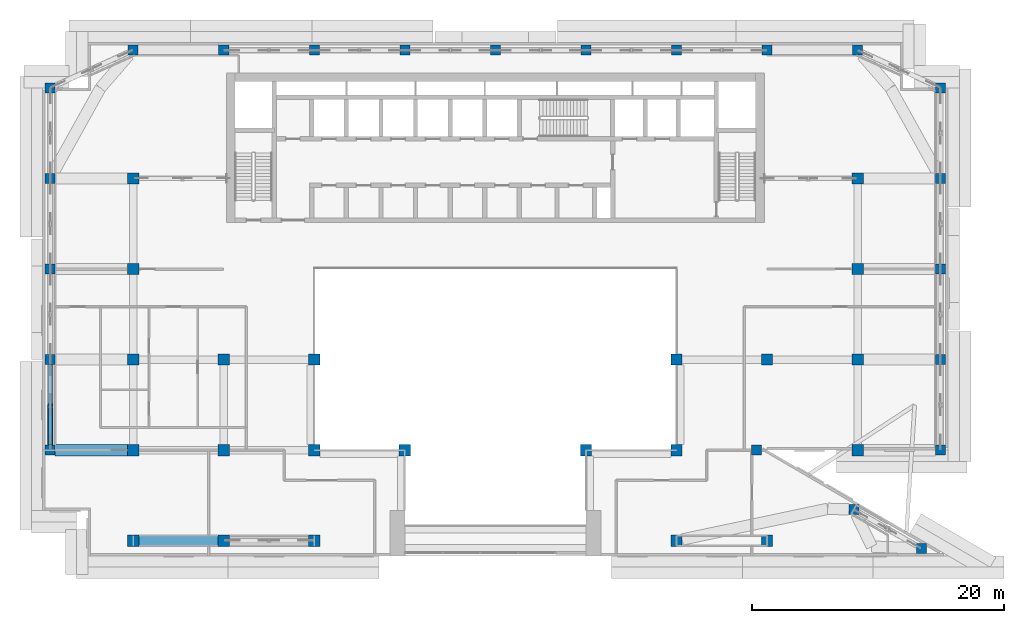
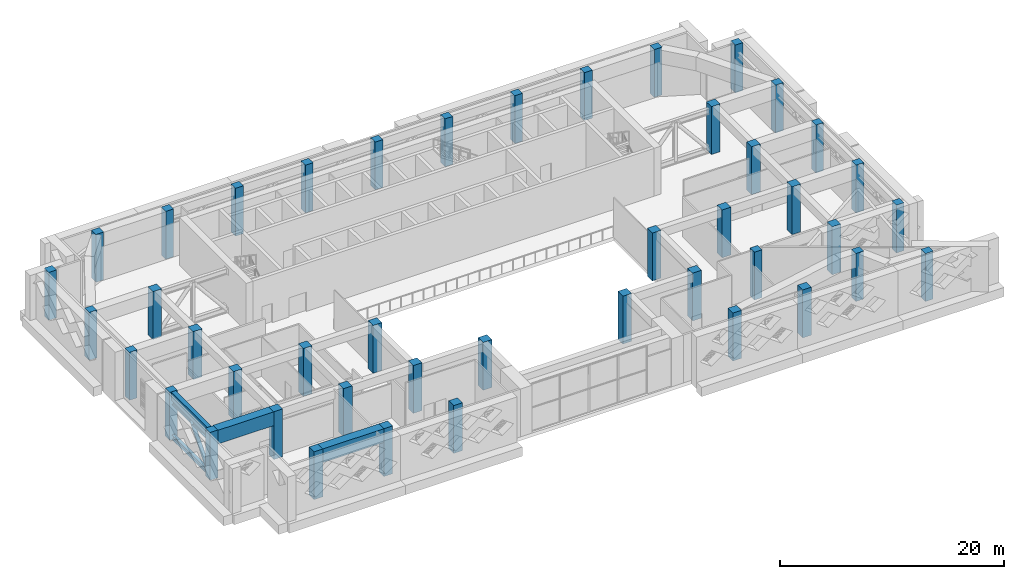
# One storey, part 1 of 20: 44 columns, 3 beams, 3 members.
"""IFC4 building model written with IfcOpenShell, lengths in metres."""

from ifc_helpers import new_model, si_unit, direction, frame, origin, origin_2d, place, context, subcontext, project, spatial, rectangle, hollow_circle, i_section, extrude, source, transform, mapped, material, material_profile, profile_set, type_object, element, save


model = new_model("IFC4")

# Units and contexts
model_context = context("Model", 3, precision=1e-05, world=origin(), true_north=direction((0.0, 1.0)))
body_context = subcontext(model_context, "Body", "Model", "MODEL_VIEW")
ifc_project = project(units=[si_unit("LENGTHUNIT", "METRE"), si_unit("AREAUNIT", "SQUARE_METRE"), si_unit("VOLUMEUNIT", "CUBIC_METRE"), si_unit("PLANEANGLEUNIT", "RADIAN"), si_unit("MASSUNIT", "GRAM", prefix="KILO")], contexts=[model_context])

# Site, building, storey
site_placement = place(None, origin())
site = spatial("IfcSite", under=ifc_project, at=site_placement, CompositionType="ELEMENT")
building_placement = place(site_placement, origin())
building = spatial("IfcBuilding", under=site, at=building_placement, Name="Saffron Iwan Residences", CompositionType="ELEMENT")
storey_placement = place(building_placement, frame((0.0, 0.0, 206.0)))
storey = spatial("IfcBuildingStorey", under=building, at=storey_placement, Name="L55", CompositionType="ELEMENT", Elevation=206.0)

# Columns
ifc_material_1 = material(Name="Concrete C50/60", Category="concrete")
ifc_material_profile_1 = material_profile(ifc_material_1, rectangle(XDim=0.800048828125, YDim=0.800048828125, at=origin_2d()), Name="RC 800x800")
ifc_profile_set_1 = profile_set([ifc_material_profile_1], Name="Concrete C50/60")
column_type_1 = type_object("IfcColumnType", Name="COL RC 800x800 C50/60 5220 HIGH", PredefinedType="COLUMN", material=ifc_profile_set_1)
shared_shape_1 = source(origin(), body_context, "Body", "SweptSolid", [
    extrude(rectangle(XDim=0.800048828125, YDim=0.800048828125, at=origin_2d()), origin(), (0.0, 0.0, 1.0), 5.219970703125),
])
for number, where, z_axis, x_axis, name in (
    (1, (84.276123046875, 40.17431640625, 0.0), (0.0, 0.0, 1.0), (1.0, 0.0, 0.0), "Column C045"),
    (2, (78.897705078125, 43.28173828125, 0.0), (0.0, 0.0, 1.0), (1.0, 0.0, 0.0), "Column C058"),
    (3, (15.0, 48.0, 0.0), (0.0, 0.0, 1.0), (1.0, 0.0, 0.0), "Column C061"),
    (4, (71.14990234375, 48.0, 0.0), (0.0, 0.0, 1.0), (1.0, 0.0, 0.0), "Column C070"),
    (5, (85.800048828125, 48.0, 0.0), (0.0, 0.0, 1.0), (1.0, 0.0, 0.0), "Column C074"),
    (6, (15.0, 55.199951171875, 0.0), (0.0, 0.0, 1.0), (1.0, 0.0, 0.0), "Column C077"),
    (7, (85.800048828125, 55.199951171875, 0.0), (0.0, 0.0, 1.0), (1.0, 0.0, 0.0), "Column C086"),
    (8, (15.0, 62.39990234375, 0.0), (0.0, 0.0, 1.0), (1.0, 0.0, 0.0), "Column C089"),
    (9, (85.800048828125, 62.39990234375, 0.0), (0.0, 0.0, 1.0), (1.0, 0.0, 0.0), "Column C094"),
    (10, (15.0, 69.60009765625, 0.0), (0.0, 0.0, 1.0), (1.0, 0.0, 0.0), "Column C097"),
    (11, (85.800048828125, 69.60009765625, 0.0), (0.0, 0.0, 1.0), (1.0, 0.0, 0.0), "Column C102"),
    (12, (15.0, 76.800048828125, 0.0), (0.0, 0.0, 1.0), (1.0, 0.0, 0.0), "Column C105"),
    (13, (85.800048828125, 76.800048828125, 0.0), (0.0, 0.0, 1.0), (1.0, 0.0, 0.0), "Column C110"),
    (14, (21.60009765625, 79.800048828125, 0.0), (0.0, 0.0, 1.0), (1.0, 0.0, 0.0), "Column C113"),
    (15, (28.800048828125, 79.800048828125, 0.0), (0.0, 0.0, 1.0), (1.0, 0.0, 0.0), "Column C115"),
    (16, (36.0, 79.800048828125, 0.0), (0.0, 0.0, 1.0), (1.0, 0.0, 0.0), "Column C116"),
    (17, (43.199951171875, 79.800048828125, 0.0), (0.0, 0.0, 1.0), (1.0, 0.0, 0.0), "Column C117"),
    (18, (50.39990234375, 79.800048828125, 0.0), (0.0, 0.0, 1.0), (1.0, 0.0, 0.0), "Column C118"),
    (19, (57.60009765625, 79.800048828125, 0.0), (0.0, 0.0, 1.0), (1.0, 0.0, 0.0), "Column C119"),
    (20, (64.800048828125, 79.800048828125, 0.0), (0.0, 0.0, 1.0), (1.0, 0.0, 0.0), "Column C120"),
    (21, (72.0, 79.800048828125, 0.0), (0.0, 0.0, 1.0), (1.0, 0.0, 0.0), "Column C121"),
    (22, (79.199951171875, 79.800048828125, 0.0), (0.0, 0.0, 1.0), (1.0, 0.0, 0.0), "Column C123"),
):
    element("IfcColumn", number, at=place(storey_placement, frame(where, z_axis=z_axis, x_axis=x_axis)), inside=storey, type_object=column_type_1, Name=name, PredefinedType="COLUMN", context=body_context, shape_type="MappedRepresentation", body=[
        mapped(shared_shape_1, transform((0.0, 0.0, 0.0))),
    ])
ifc_material_profile_2 = material_profile(ifc_material_1, rectangle(XDim=0.89990234375, YDim=0.89990234375, at=origin_2d()), Name="RC 900x900")
ifc_profile_set_2 = profile_set([ifc_material_profile_2], Name="Concrete C50/60")
column_type_2 = type_object("IfcColumnType", Name="COL RC 900x900 C50/60 5220 HIGH", PredefinedType="COLUMN", material=ifc_profile_set_2)
shared_shape_2 = source(origin(), body_context, "Body", "SweptSolid", [
    extrude(rectangle(XDim=0.89990234375, YDim=0.89990234375, at=origin_2d()), origin(), (0.0, 0.0, 1.0), 5.219970703125),
])
for number, where, z_axis, x_axis, name in (
    (23, (21.60009765625, 40.800048828125, 0.0), (0.0, 0.0, 1.0), (1.0, 0.0, 0.0), "Column C049"),
    (24, (28.800048828125, 40.800048828125, 0.0), (0.0, 0.0, 1.0), (1.0, 0.0, 0.0), "Column C051"),
    (25, (36.0, 40.800048828125, 0.0), (0.0, 0.0, 1.0), (1.0, 0.0, 0.0), "Column C052"),
    (26, (64.800048828125, 40.800048828125, 0.0), (0.0, 0.0, 1.0), (1.0, 0.0, 0.0), "Column C055"),
    (27, (72.0, 40.800048828125, 0.0), (0.0, 0.0, 1.0), (1.0, 0.0, 0.0), "Column C056"),
    (28, (21.60009765625, 48.0, 0.0), (0.0, 0.0, 1.0), (1.0, 0.0, 0.0), "Column C063"),
    (29, (28.800048828125, 48.0, 0.0), (0.0, 0.0, 1.0), (1.0, 0.0, 0.0), "Column C064"),
    (30, (36.0, 48.0, 0.0), (0.0, 0.0, 1.0), (1.0, 0.0, 0.0), "Column C065"),
    (31, (43.199951171875, 48.0, 0.0), (0.0, 0.0, 1.0), (1.0, 0.0, 0.0), "Column C066"),
    (32, (57.60009765625, 48.0, 0.0), (0.0, 0.0, 1.0), (1.0, 0.0, 0.0), "Column C068"),
    (33, (64.800048828125, 48.0, 0.0), (0.0, 0.0, 1.0), (1.0, 0.0, 0.0), "Column C069"),
    (34, (79.199951171875, 48.0, 0.0), (0.0, 0.0, 1.0), (1.0, 0.0, 0.0), "Column C072"),
    (35, (21.60009765625, 55.199951171875, 0.0), (0.0, 0.0, 1.0), (1.0, 0.0, 0.0), "Column C079"),
    (36, (28.800048828125, 55.199951171875, 0.0), (0.0, 0.0, 1.0), (1.0, 0.0, 0.0), "Column C080"),
    (37, (36.0, 55.199951171875, 0.0), (0.0, 0.0, 1.0), (1.0, 0.0, 0.0), "Column C081"),
    (38, (64.800048828125, 55.199951171875, 0.0), (0.0, 0.0, 1.0), (1.0, 0.0, 0.0), "Column C082"),
    (39, (72.0, 55.199951171875, 0.0), (0.0, 0.0, 1.0), (1.0, 0.0, 0.0), "Column C083"),
    (40, (79.199951171875, 55.199951171875, 0.0), (0.0, 0.0, 1.0), (1.0, 0.0, 0.0), "Column C084"),
    (41, (21.60009765625, 62.39990234375, 0.0), (0.0, 0.0, 1.0), (1.0, 0.0, 0.0), "Column C091"),
    (42, (79.199951171875, 62.39990234375, 0.0), (0.0, 0.0, 1.0), (1.0, 0.0, 0.0), "Column C092"),
    (43, (21.60009765625, 69.60009765625, 0.0), (0.0, 0.0, 1.0), (1.0, 0.0, 0.0), "Column C099"),
    (44, (79.199951171875, 69.60009765625, 0.0), (0.0, 0.0, 1.0), (1.0, 0.0, 0.0), "Column C100"),
):
    element("IfcColumn", number, at=place(storey_placement, frame(where, z_axis=z_axis, x_axis=x_axis)), inside=storey, type_object=column_type_2, Name=name, PredefinedType="COLUMN", context=body_context, shape_type="MappedRepresentation", body=[
        mapped(shared_shape_2, transform((0.0, 0.0, 0.0))),
    ])

# Beams
ifc_material_profile_3 = material_profile(ifc_material_1, rectangle(XDim=0.449951171875, YDim=0.89990234375, at=origin_2d()), Name="RC 450x900")
ifc_profile_set_3 = profile_set([ifc_material_profile_3], Name="Concrete C50/60")
beam_type_1 = type_object("IfcBeamType", Name="SPANDREL BEAM RC 450x900 C50/60 TOP 5220", PredefinedType="SPANDREL", material=ifc_profile_set_3)
shared_shape_3 = source(origin(), body_context, "Body", "SweptSolid", [
    extrude(rectangle(XDim=0.449951171875, YDim=0.89990234375, at=origin_2d()), origin(), (0.0, 0.0, 1.0), 6.400146484375),
])
beam_1_placement = place(storey_placement, frame((15.0, 48.39990234375, 4.77001953125), z_axis=(0.0, 1.0, 0.0), x_axis=(-1.0, 0.0, 0.0)))
element("IfcBeam", 45, at=beam_1_placement, inside=storey, type_object=beam_type_1, Name="Spandrel beam", PredefinedType="SPANDREL", context=body_context, shape_type="MappedRepresentation", body=[
    mapped(shared_shape_3, transform((0.0, 0.0, 0.0))),
])
ifc_material_profile_4 = material_profile(ifc_material_1, rectangle(XDim=0.89990234375, YDim=1.5, at=origin_2d()), Name="RC 900x1500")
ifc_profile_set_4 = profile_set([ifc_material_profile_4], Name="Concrete C50/60")
beam_type_2 = type_object("IfcBeamType", Name="TRANSFER GIRDER RC 900x1500 C50/60 TOP 5220", PredefinedType="BEAM", material=ifc_profile_set_4)
shared_shape_4 = source(origin(), body_context, "Body", "SweptSolid", [
    extrude(rectangle(XDim=0.89990234375, YDim=1.5, at=origin_2d()), origin(), (0.0, 0.0, 1.0), 6.300048828125),
])
beam_2_placement = place(storey_placement, frame((22.050048828125, 40.800048828125, 4.469970703125), z_axis=(1.0, 0.0, 0.0), x_axis=(0.0, 1.0, 0.0)))
element("IfcBeam", 46, at=beam_2_placement, inside=storey, type_object=beam_type_2, Name="Transfer girder", PredefinedType="BEAM", context=body_context, shape_type="MappedRepresentation", body=[
    mapped(shared_shape_4, transform((0.0, 0.0, 0.0))),
])
shared_shape_5 = source(origin(), body_context, "Body", "SweptSolid", [
    extrude(rectangle(XDim=0.89990234375, YDim=1.5, at=origin_2d()), origin(), (0.0, 0.0, 1.0), 5.75),
])
beam_3_placement = place(storey_placement, frame((21.14990234375, 48.0, 4.469970703125), z_axis=(-1.0, 0.0, 0.0), x_axis=(0.0, -1.0, 0.0)))
element("IfcBeam", 47, at=beam_3_placement, inside=storey, type_object=beam_type_2, Name="Transfer girder", PredefinedType="BEAM", context=body_context, shape_type="MappedRepresentation", body=[
    mapped(shared_shape_5, transform((0.0, 0.0, 0.0))),
])

# Members
ifc_material_2 = material(Name="Steel S355", Category="steel")
ifc_material_profile_5 = material_profile(ifc_material_2, i_section(OverallWidth=0.305908203125, OverallDepth=0.52392578125, WebThickness=0.02099609375, FlangeThickness=0.0400390625, FilletRadius=0.027099609375, at=origin_2d()), Name="HE 500 M")
ifc_profile_set_5 = profile_set([ifc_material_profile_5], Name="Steel S355")
member_type_1 = type_object("IfcMemberType", Name="BELT TRUSS CHORD HE 500 M S355", PredefinedType="CHORD", material=ifc_profile_set_5)
shared_shape_6 = source(origin(), body_context, "Body", "SweptSolid", [
    extrude(i_section(OverallWidth=0.305908203125, OverallDepth=0.52392578125, WebThickness=0.02099609375, FlangeThickness=0.0400390625, FilletRadius=0.027099609375, at=origin_2d()), origin(), (0.0, 0.0, 1.0), 6.400146484375),
])
for number, where, z_axis, x_axis, name in (
    (48, (15.0, 48.39990234375, 0.261962890625), (0.0, 1.0, 0.0), (-1.0, 0.0, 0.0), "Belt truss chord L55"),
    (49, (15.0, 48.39990234375, 4.05810546875), (0.0, 1.0, 0.0), (-1.0, 0.0, 0.0), "Belt truss chord L55"),
):
    element("IfcMember", number, at=place(storey_placement, frame(where, z_axis=z_axis, x_axis=x_axis)), inside=storey, type_object=member_type_1, Name=name, PredefinedType="CHORD", context=body_context, shape_type="MappedRepresentation", body=[
        mapped(shared_shape_6, transform((0.0, 0.0, 0.0))),
    ])
ifc_material_profile_6 = material_profile(ifc_material_2, hollow_circle(Radius=0.203125, WallThickness=0.01611328125, at=origin_2d()), Name="CHS 406.4x16")
ifc_profile_set_6 = profile_set([ifc_material_profile_6], Name="Steel S355")
member_type_2 = type_object("IfcMemberType", Name="BELT TRUSS DIAGONAL CHS 406.4x16 S355", PredefinedType="BRACE", material=ifc_profile_set_6)
shared_shape_7 = source(origin(), body_context, "Body", "SweptSolid", [
    extrude(hollow_circle(Radius=0.203125, WallThickness=0.01611328125, at=origin_2d()), origin(), (0.0, 0.0, 1.0), 4.965087890625),
])
member_placement = place(storey_placement, frame((15.0, 48.39990234375, 0.261962890625), z_axis=(0.0, 0.64454146038, 0.764569359738), x_axis=(-1.0, 0.0, 0.0)))
element("IfcMember", 50, at=member_placement, inside=storey, type_object=member_type_2, Name="Belt truss diagonal L55", PredefinedType="BRACE", context=body_context, shape_type="MappedRepresentation", body=[
    mapped(shared_shape_7, transform((0.0, 0.0, 0.0))),
])

save(model, "model.ifc")
